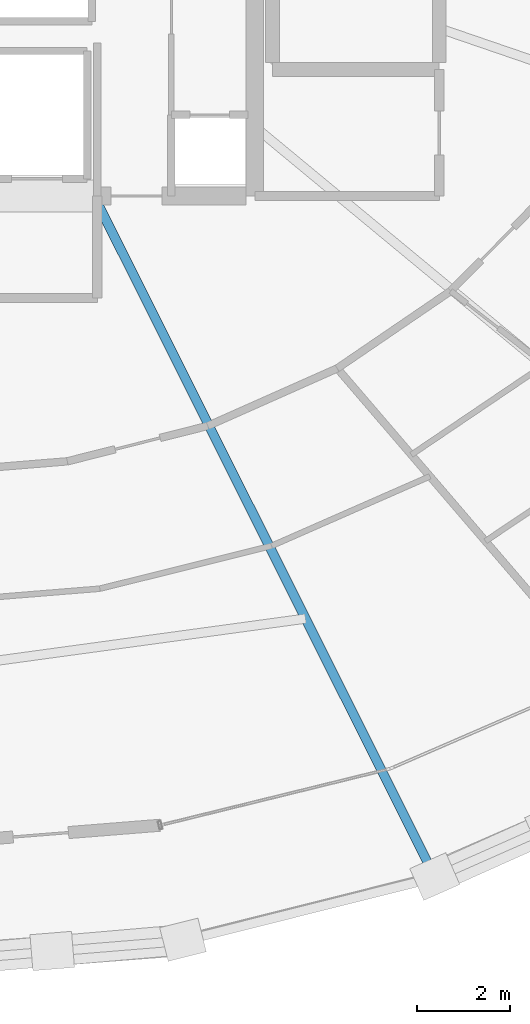
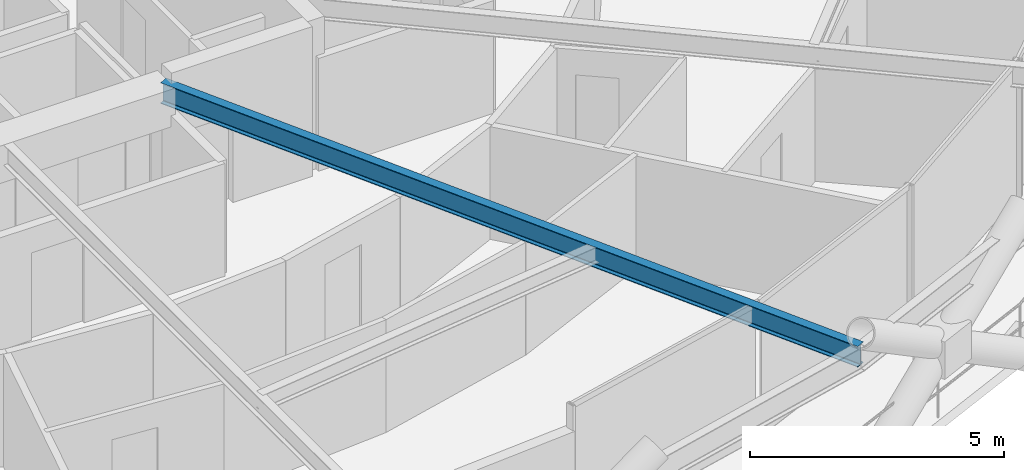
# One storey, part 9 of 21: 1 beam.
"""IFC4 building model written with IfcOpenShell, lengths in metres."""

from ifc_helpers import new_model, si_unit, direction, frame, origin, origin_2d, place, context, subcontext, project, spatial, i_section, extrude, material, material_profile, profile_set, type_object, element, save


model = new_model("IFC4")

# Units and contexts
model_context = context("Model", 3, precision=1e-05, world=origin(), true_north=direction((0.0, 1.0)))
body_context = subcontext(model_context, "Body", "Model", "MODEL_VIEW")
ifc_project = project(units=[si_unit("LENGTHUNIT", "METRE"), si_unit("AREAUNIT", "SQUARE_METRE"), si_unit("VOLUMEUNIT", "CUBIC_METRE"), si_unit("PLANEANGLEUNIT", "RADIAN"), si_unit("MASSUNIT", "GRAM", prefix="KILO")], contexts=[model_context])

# Site, building, storey
site_placement = place(None, origin())
site = spatial("IfcSite", under=ifc_project, at=site_placement, CompositionType="ELEMENT")
building_placement = place(site_placement, origin())
building = spatial("IfcBuilding", under=site, at=building_placement, Name="Veldorina Hangang Commons", CompositionType="ELEMENT")
storey_placement = place(building_placement, frame((0.0, 0.0, 73.60009765625)))
storey = spatial("IfcBuildingStorey", under=building, at=storey_placement, Name="L18", CompositionType="ELEMENT", Elevation=73.60009765625)

# Beam
ifc_material = material(Name="Steel SM420-TMC", Category="steel")
ifc_material_profile = material_profile(ifc_material, i_section(OverallWidth=0.199951171875, OverallDepth=0.5, WebThickness=0.010009765625, FlangeThickness=0.01611328125, FilletRadius=0.01611328125, at=origin_2d()), Name="H-500x200x10x16")
ifc_profile_set = profile_set([ifc_material_profile], Name="Steel SM420-TMC")
beam_type = type_object("IfcBeamType", Name="BM-FG500", PredefinedType="BEAM", material=ifc_profile_set)
beam_placement = place(storey_placement, frame((35.72900390625, 16.550048828125, 3.08984375), z_axis=(0.447617223189, -0.894225263289, 0.0), x_axis=(0.894225263289, 0.447617223189, 0.0)))
element("IfcBeam", 1, at=beam_placement, inside=storey, type_object=beam_type, Name="L18 radial floor girder 14", PredefinedType="BEAM", context=body_context, shape_type="SweptSolid", body=[
    extrude(i_section(OverallWidth=0.199951171875, OverallDepth=0.5, WebThickness=0.010009765625, FlangeThickness=0.01611328125, FilletRadius=0.01611328125, at=origin_2d()), origin(), (0.0, 0.0, 1.0), 16.450439453125),
])

save(model, "model.ifc")
